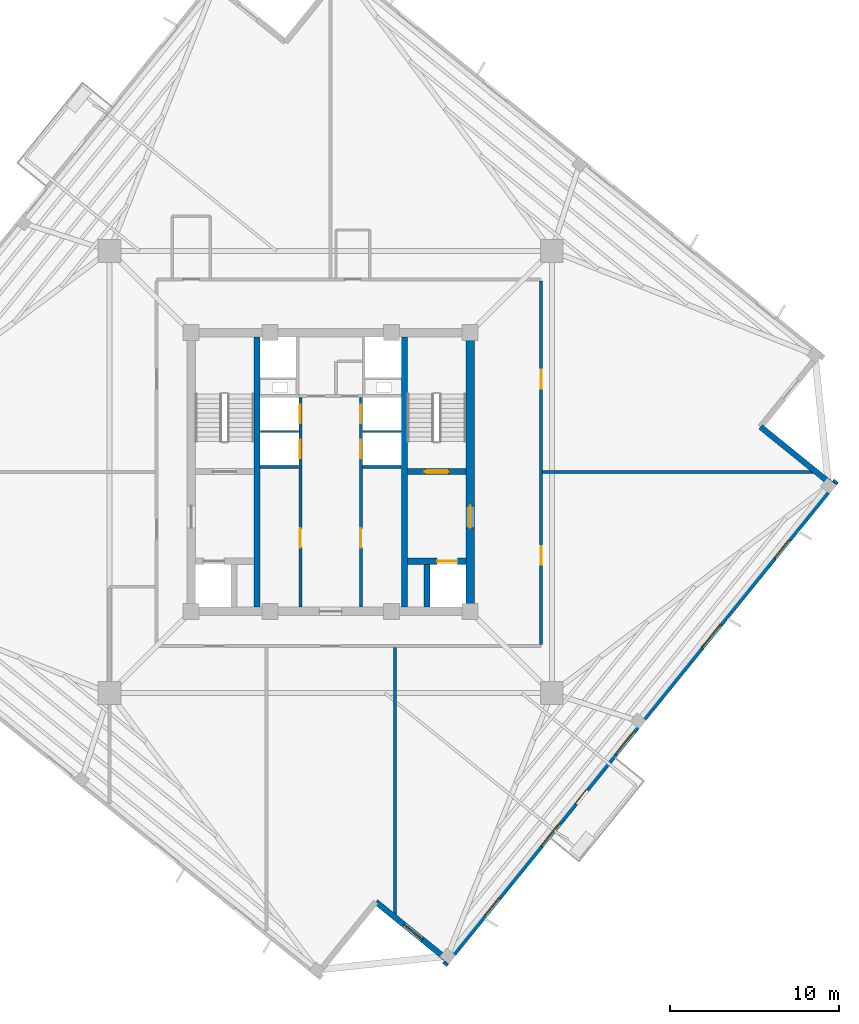
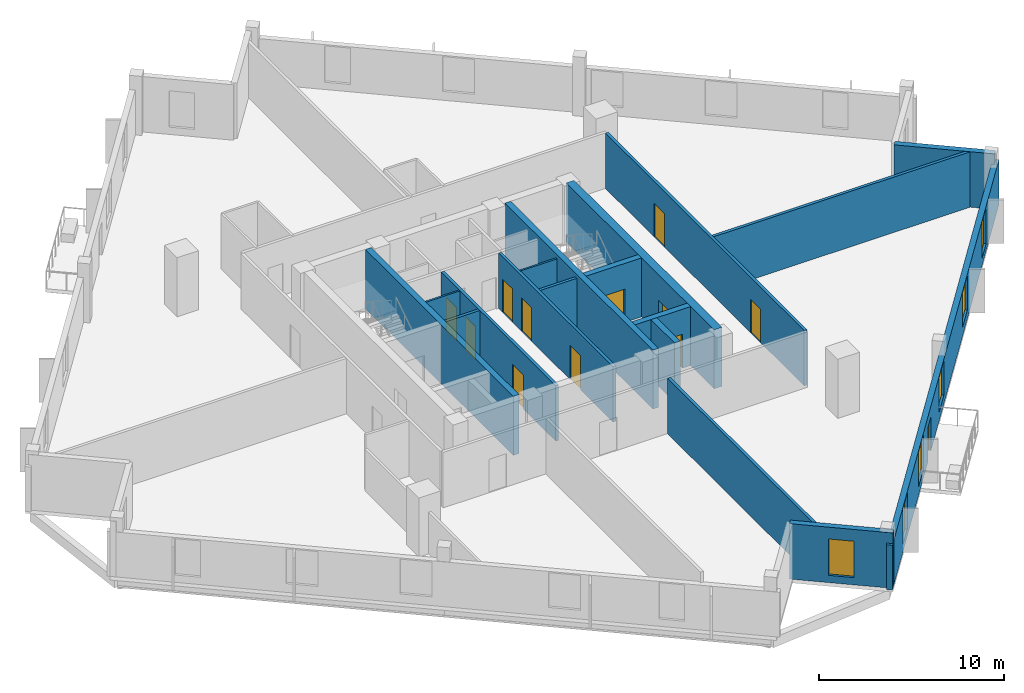
# One storey, part 3 of 9: 18 walls, 12 doors, 6 windows, 18 openings.
"""IFC4 building model written with IfcOpenShell, lengths in metres."""

from ifc_helpers import new_model, si_unit, direction, frame, frame_2d, origin, place, context, subcontext, project, spatial, rectangle, extrude, source, transform, mapped, material, layer, layer_set, type_object, element, fill, save


model = new_model("IFC4")

# Units and contexts
model_context = context("Model", 3, precision=1e-05, world=origin(), true_north=direction((0.0, 1.0)))
body_context = subcontext(model_context, "Body", "Model", "MODEL_VIEW")
ifc_project = project(units=[si_unit("LENGTHUNIT", "METRE"), si_unit("AREAUNIT", "SQUARE_METRE"), si_unit("VOLUMEUNIT", "CUBIC_METRE"), si_unit("PLANEANGLEUNIT", "RADIAN"), si_unit("MASSUNIT", "GRAM", prefix="KILO"), si_unit("THERMODYNAMICTEMPERATUREUNIT", "KELVIN")], contexts=[model_context])

# Site, building, storey
site_placement = place(None, origin())
site = spatial("IfcSite", under=ifc_project, at=site_placement, CompositionType="ELEMENT")
building_placement = place(site_placement, origin())
building = spatial("IfcBuilding", under=site, at=building_placement, Name="Kosmvard Interchange Tower", CompositionType="ELEMENT")
storey_placement = place(building_placement, frame((0.0, 0.0, 248.5)))
storey = spatial("IfcBuildingStorey", under=building, at=storey_placement, Name="L60", CompositionType="ELEMENT", Elevation=248.5)

# Wall, openings, doors
ifc_material_1 = material(Name="Fire-rated gypsum partition system")
ifc_layer_1 = layer(ifc_material_1, 0.179931640625, Name="Fire-rated gypsum partition system")
ifc_layer_set_1 = layer_set([ifc_layer_1], Name="Fire-rated gypsum partition system")
wall_type_1 = type_object("IfcWallType", Name="Corridor & Hotel Compartment Partition 180", PredefinedType="PARTITIONING", material=ifc_layer_set_1)
wall_1_placement = place(storey_placement, frame((-1.7900390625, -7.97998046875, 0.0), z_axis=(0.0, 0.0, 1.0), x_axis=(0.0, 1.0, 0.0)))
wall_1 = element("IfcWall", 1, at=wall_1_placement, inside=storey, type_object=wall_type_1, Name="L60 West Lift Bank Front Wall", PredefinedType="PARTITIONING", context=body_context, shape_type="SweptSolid", body=[
    extrude(rectangle(XDim=12.3798828125, YDim=0.179931640625, at=frame_2d((6.18994140625, 0.0))), origin(), (0.0, 0.0, 1.0), 3.659912109375),
])
opening_1_placement = place(wall_1_placement, frame((8.800048828125, 0.0, 0.0)))
opening_1 = element("IfcOpeningElement", 2, at=opening_1_placement, cuts=wall_1, Name="Opening LD-PL-H1-L60", PredefinedType="OPENING", context=body_context, shape_type="SweptSolid", body=[
    extrude(rectangle(XDim=1.10009765625, YDim=2.199951171875, at=frame_2d((0.550048828125, 1.10009765625))), frame((0.0, 0.10009765625, 0.0), z_axis=(0.0, -1.0, 0.0), x_axis=(1.0, 0.0, 0.0)), (0.0, 0.0, 1.0), 0.199951171875),
])
opening_2_placement = place(wall_1_placement, frame((10.860107421875, 0.0, 0.0)))
opening_2 = element("IfcOpeningElement", 3, at=opening_2_placement, cuts=wall_1, Name="Opening LD-PL-H2-L60", PredefinedType="OPENING", context=body_context, shape_type="SweptSolid", body=[
    extrude(rectangle(XDim=1.10009765625, YDim=2.199951171875, at=frame_2d((0.550048828125, 1.10009765625))), frame((0.0, 0.10009765625, 0.0), z_axis=(0.0, -1.0, 0.0), x_axis=(1.0, 0.0, 0.0)), (0.0, 0.0, 1.0), 0.199951171875),
])
opening_3_placement = place(wall_1_placement, frame((3.5, 0.0, 0.0)))
opening_3 = element("IfcOpeningElement", 4, at=opening_3_placement, cuts=wall_1, Name="Opening L60-CD1", PredefinedType="OPENING", context=body_context, shape_type="SweptSolid", body=[
    extrude(rectangle(XDim=1.14990234375, YDim=2.25, at=frame_2d((0.574951171875, 1.125))), frame((0.0, 0.10009765625, 0.0), z_axis=(0.0, -1.0, 0.0), x_axis=(1.0, 0.0, 0.0)), (0.0, 0.0, 1.0), 0.199951171875),
])
ifc_material_2 = material(Name="Painted fire-rated steel leaf", Category="steel")
door_type_1 = type_object("IfcDoorType", Name="Plant & Riser Fire Door 1150x2250 EI60", OperationType="NOTDEFINED", PredefinedType="DOOR", material=ifc_material_2)
shared_shape_1 = source(origin(), body_context, "Body", "SweptSolid", [
    extrude(rectangle(XDim=1.14990234375, YDim=2.25, at=frame_2d((0.574951171875, 1.125))), frame((0.0, 0.02490234375, 0.0), z_axis=(0.0, -1.0, 0.0), x_axis=(1.0, 0.0, 0.0)), (0.0, 0.0, 1.0), 0.050048828125),
])
door_1_placement = place(opening_3_placement, origin())
door_1 = element("IfcDoor", 5, at=door_1_placement, inside=storey, type_object=door_type_1, Name="L60 Core Facility Store Door", OperationType="SINGLE_SWING_LEFT", OverallHeight=2.25, OverallWidth=1.14990234375, PredefinedType="DOOR", context=body_context, shape_type="MappedRepresentation", body=[
    mapped(shared_shape_1, transform((0.0, 0.0, 0.0), scale=1.0)),
])
fill(opening_3, door_1)
ifc_material_3 = material(Name="Brushed stainless steel sliding leaf", Category="steel")
door_type_2 = type_object("IfcDoorType", Name="Passenger Lift Sliding Landing Door 1100x2200 EI60", OperationType="DOUBLE_DOOR_SLIDING", PredefinedType="DOOR", material=ifc_material_3)
shared_shape_2 = source(origin(), body_context, "Body", "SweptSolid", [
    extrude(rectangle(XDim=1.10009765625, YDim=2.199951171875, at=frame_2d((0.550048828125, 1.10009765625))), frame((0.0, 0.02490234375, 0.0), z_axis=(0.0, -1.0, 0.0), x_axis=(1.0, 0.0, 0.0)), (0.0, 0.0, 1.0), 0.050048828125),
])
door_2_placement = place(opening_1_placement, frame((1.10009765625, 0.0, 0.0), z_axis=(0.0, 0.0, 1.0), x_axis=(-1.0, 0.0, 0.0)))
door_2 = element("IfcDoor", 6, at=door_2_placement, inside=storey, type_object=door_type_2, Name="Lift PL-H1 Landing Door L60", OperationType="DOUBLE_DOOR_SLIDING", OverallHeight=2.199951171875, OverallWidth=1.10009765625, PredefinedType="DOOR", context=body_context, shape_type="MappedRepresentation", body=[
    mapped(shared_shape_2, transform((0.0, 0.0, 0.0), scale=1.0)),
])
fill(opening_1, door_2)
door_3_placement = place(opening_2_placement, frame((1.10009765625, 0.0, 0.0), z_axis=(0.0, 0.0, 1.0), x_axis=(-1.0, 0.0, 0.0)))
door_3 = element("IfcDoor", 7, at=door_3_placement, inside=storey, type_object=door_type_2, Name="Lift PL-H2 Landing Door L60", OperationType="DOUBLE_DOOR_SLIDING", OverallHeight=2.199951171875, OverallWidth=1.10009765625, PredefinedType="DOOR", context=body_context, shape_type="MappedRepresentation", body=[
    mapped(shared_shape_2, transform((0.0, 0.0, 0.0), scale=1.0)),
])
fill(opening_2, door_3)

wall_2_placement = place(storey_placement, frame((1.7900390625, -7.97998046875, 0.0), z_axis=(0.0, 0.0, 1.0), x_axis=(0.0, 1.0, 0.0)))
wall_2 = element("IfcWall", 8, at=wall_2_placement, inside=storey, type_object=wall_type_1, Name="L60 East Lift Bank Front Wall", PredefinedType="PARTITIONING", context=body_context, shape_type="SweptSolid", body=[
    extrude(rectangle(XDim=12.3798828125, YDim=0.179931640625, at=frame_2d((6.18994140625, 0.0))), origin(), (0.0, 0.0, 1.0), 3.659912109375),
])
opening_4_placement = place(wall_2_placement, frame((8.800048828125, 0.0, 0.0)))
opening_4 = element("IfcOpeningElement", 9, at=opening_4_placement, cuts=wall_2, Name="Opening LD-PL-H3-L60", PredefinedType="OPENING", context=body_context, shape_type="SweptSolid", body=[
    extrude(rectangle(XDim=1.10009765625, YDim=2.199951171875, at=frame_2d((0.550048828125, 1.10009765625))), frame((0.0, 0.10009765625, 0.0), z_axis=(0.0, -1.0, 0.0), x_axis=(1.0, 0.0, 0.0)), (0.0, 0.0, 1.0), 0.199951171875),
])
opening_5_placement = place(wall_2_placement, frame((10.860107421875, 0.0, 0.0)))
opening_5 = element("IfcOpeningElement", 10, at=opening_5_placement, cuts=wall_2, Name="Opening LD-PL-H4-L60", PredefinedType="OPENING", context=body_context, shape_type="SweptSolid", body=[
    extrude(rectangle(XDim=1.10009765625, YDim=2.199951171875, at=frame_2d((0.550048828125, 1.10009765625))), frame((0.0, 0.10009765625, 0.0), z_axis=(0.0, -1.0, 0.0), x_axis=(1.0, 0.0, 0.0)), (0.0, 0.0, 1.0), 0.199951171875),
])
opening_6_placement = place(wall_2_placement, frame((3.5, 0.0, 0.0)))
opening_6 = element("IfcOpeningElement", 11, at=opening_6_placement, cuts=wall_2, Name="Opening L60-CD2", PredefinedType="OPENING", context=body_context, shape_type="SweptSolid", body=[
    extrude(rectangle(XDim=1.14990234375, YDim=2.25, at=frame_2d((0.574951171875, 1.125))), frame((0.0, 0.10009765625, 0.0), z_axis=(0.0, -1.0, 0.0), x_axis=(1.0, 0.0, 0.0)), (0.0, 0.0, 1.0), 0.199951171875),
])
door_4_placement = place(opening_6_placement, frame((1.14990234375, 0.0, 0.0), z_axis=(0.0, 0.0, 1.0), x_axis=(-1.0, 0.0, 0.0)))
door_4 = element("IfcDoor", 12, at=door_4_placement, inside=storey, type_object=door_type_1, Name="L60 Core BMS UPS Door", OperationType="SINGLE_SWING_RIGHT", OverallHeight=2.25, OverallWidth=1.14990234375, PredefinedType="DOOR", context=body_context, shape_type="MappedRepresentation", body=[
    mapped(shared_shape_1, transform((0.0, 0.0, 0.0), scale=1.0)),
])
fill(opening_6, door_4)
door_5_placement = place(opening_4_placement, origin())
door_5 = element("IfcDoor", 13, at=door_5_placement, inside=storey, type_object=door_type_2, Name="Lift PL-H3 Landing Door L60", OperationType="DOUBLE_DOOR_SLIDING", OverallHeight=2.199951171875, OverallWidth=1.10009765625, PredefinedType="DOOR", context=body_context, shape_type="MappedRepresentation", body=[
    mapped(shared_shape_2, transform((0.0, 0.0, 0.0), scale=1.0)),
])
fill(opening_4, door_5)
door_6_placement = place(opening_5_placement, origin())
door_6 = element("IfcDoor", 14, at=door_6_placement, inside=storey, type_object=door_type_2, Name="Lift PL-H4 Landing Door L60", OperationType="DOUBLE_DOOR_SLIDING", OverallHeight=2.199951171875, OverallWidth=1.10009765625, PredefinedType="DOOR", context=body_context, shape_type="MappedRepresentation", body=[
    mapped(shared_shape_2, transform((0.0, 0.0, 0.0), scale=1.0)),
])
fill(opening_5, door_6)

wall_3_placement = place(storey_placement, frame((12.449951171875, -10.199951171875, 0.0), z_axis=(0.0, 0.0, 1.0), x_axis=(0.0, 1.0, 0.0)))
wall_3 = element("IfcWall", 15, at=wall_3_placement, inside=storey, type_object=wall_type_1, Name="L60 Corridor Wall CE", PredefinedType="PARTITIONING", context=body_context, shape_type="SweptSolid", body=[
    extrude(rectangle(XDim=21.5, YDim=0.179931640625, at=frame_2d((10.75, 0.0))), origin(), (0.0, 0.0, 1.0), 3.659912109375),
])
opening_7_placement = place(wall_3_placement, frame((15.135498046875, 0.0, 0.0)))
opening_7 = element("IfcOpeningElement", 16, at=opening_7_placement, cuts=wall_3, Name="Opening L60-D04", PredefinedType="OPENING", context=body_context, shape_type="SweptSolid", body=[
    extrude(rectangle(XDim=1.10009765625, YDim=2.199951171875, at=frame_2d((0.550048828125, 1.10009765625))), frame((0.0, 0.10009765625, 0.0), z_axis=(0.0, -1.0, 0.0), x_axis=(1.0, 0.0, 0.0)), (0.0, 0.0, 1.0), 0.199951171875),
])
opening_8_placement = place(wall_3_placement, frame((4.71435546875, 0.0, 0.0)))
opening_8 = element("IfcOpeningElement", 17, at=opening_8_placement, cuts=wall_3, Name="Opening L60-D05", PredefinedType="OPENING", context=body_context, shape_type="SweptSolid", body=[
    extrude(rectangle(XDim=1.10009765625, YDim=2.199951171875, at=frame_2d((0.550048828125, 1.10009765625))), frame((0.0, 0.10009765625, 0.0), z_axis=(0.0, -1.0, 0.0), x_axis=(1.0, 0.0, 0.0)), (0.0, 0.0, 1.0), 0.199951171875),
])
ifc_material_4 = material(Name="Engineered oak fire-rated timber", Category="wood")
door_type_3 = type_object("IfcDoorType", Name="Office Suite Entrance Door 1100x2200 FD30S", OperationType="NOTDEFINED", PredefinedType="DOOR", material=ifc_material_4)
door_7_placement = place(opening_7_placement, frame((1.10009765625, 0.0, 0.0), z_axis=(0.0, 0.0, 1.0), x_axis=(-1.0, 0.0, 0.0)))
door_7 = element("IfcDoor", 18, at=door_7_placement, inside=storey, type_object=door_type_3, Name="L60 South-East Open Investment Workplace Door", OperationType="SINGLE_SWING_RIGHT", OverallHeight=2.199951171875, OverallWidth=1.10009765625, PredefinedType="DOOR", context=body_context, shape_type="MappedRepresentation", body=[
    mapped(shared_shape_2, transform((0.0, 0.0, 0.0), scale=1.0)),
])
fill(opening_7, door_7)
door_8_placement = place(opening_8_placement, frame((1.10009765625, 0.0, 0.0), z_axis=(0.0, 0.0, 1.0), x_axis=(-1.0, 0.0, 0.0)))
door_8 = element("IfcDoor", 19, at=door_8_placement, inside=storey, type_object=door_type_3, Name="L60 Sky Economics Library Door", OperationType="SINGLE_SWING_LEFT", OverallHeight=2.199951171875, OverallWidth=1.10009765625, PredefinedType="DOOR", context=body_context, shape_type="MappedRepresentation", body=[
    mapped(shared_shape_2, transform((0.0, 0.0, 0.0), scale=1.0)),
])
fill(opening_8, door_8)

# Walls
wall_4_placement = place(storey_placement, frame((12.544921875, 0.0, 0.0), z_axis=(0.0, 0.0, 1.0), x_axis=(1.0, 0.0, 0.0)))
element("IfcWall", 20, at=wall_4_placement, inside=storey, type_object=wall_type_1, Name="L60 Room Partition 02.1", PredefinedType="PARTITIONING", context=body_context, shape_type="SweptSolid", body=[
    extrude(rectangle(XDim=16.017578125, YDim=0.179931640625, at=frame_2d((8.0087890625, 0.0))), origin(), (0.0, 0.0, 1.0), 3.659912109375),
])
wall_5_placement = place(storey_placement, frame((3.800048828125, -10.39501953125, 0.0), z_axis=(0.0, 0.0, 1.0), x_axis=(0.0, -1.0, 0.0)))
element("IfcWall", 21, at=wall_5_placement, inside=storey, type_object=wall_type_1, Name="L60 Room Partition 03.1", PredefinedType="PARTITIONING", context=body_context, shape_type="SweptSolid", body=[
    extrude(rectangle(XDim=15.811767578125, YDim=0.179931640625, at=frame_2d((7.90576171875, 0.0))), origin(), (0.0, 0.0, 1.0), 3.659912109375),
])

# Wall, openings, door, windows
ifc_material_5 = material(Name="Precast concrete C45/55", Category="concrete")
ifc_layer_2 = layer(ifc_material_5, 0.340087890625, Name="Precast concrete C45/55")
ifc_layer_set_2 = layer_set([ifc_layer_2], Name="Precast concrete C45/55")
wall_type_2 = type_object("IfcWallType", Name="Mid Tower Precast Pier Wall 340 C45/55", PredefinedType="STANDARD", material=ifc_layer_set_2)
wall_6_placement = place(storey_placement, frame((6.73291015625, -29.154296875, 0.0), z_axis=(0.0, 0.0, 1.0), x_axis=(0.629325378072, 0.77714192302, 0.0)))
wall_6 = element("IfcWall", 22, at=wall_6_placement, inside=storey, type_object=wall_type_2, Name="L60 Precast Facade Wall F-S", PredefinedType="STANDARD", context=body_context, shape_type="SweptSolid", body=[
    extrude(rectangle(XDim=36.840087890625, YDim=0.340087890625, at=frame_2d((18.419921875, 0.0))), origin(), (0.0, 0.0, 1.0), 2.9599609375),
])
opening_9_placement = place(wall_6_placement, frame((12.294921875, 0.0, 0.0)))
opening_9 = element("IfcOpeningElement", 23, at=opening_9_placement, cuts=wall_6, Name="Opening L60-BDS", PredefinedType="OPENING", context=body_context, shape_type="SweptSolid", body=[
    extrude(rectangle(XDim=1.050048828125, YDim=2.25, at=frame_2d((0.52490234375, 1.125))), frame((0.0, 0.18017578125, 0.0), z_axis=(0.0, -1.0, 0.0), x_axis=(1.0, 0.0, 0.0)), (0.0, 0.0, 1.0), 0.360107421875),
])
opening_10_placement = place(wall_6_placement, frame((3.720703125, 0.0, 0.47998046875)))
opening_10 = element("IfcOpeningElement", 24, at=opening_10_placement, cuts=wall_6, Name="Opening L60-W01", PredefinedType="OPENING", context=body_context, shape_type="SweptSolid", body=[
    extrude(rectangle(XDim=1.39990234375, YDim=2.39990234375, at=frame_2d((0.699951171875, 1.199951171875))), frame((0.0, 0.18017578125, 0.0), z_axis=(0.0, -1.0, 0.0), x_axis=(1.0, 0.0, 0.0)), (0.0, 0.0, 1.0), 0.360107421875),
])
opening_11_placement = place(wall_6_placement, frame((9.05859375, 0.0, 0.580078125)))
opening_11 = element("IfcOpeningElement", 25, at=opening_11_placement, cuts=wall_6, Name="Opening L60-W02", PredefinedType="OPENING", context=body_context, shape_type="SweptSolid", body=[
    extrude(rectangle(XDim=1.75, YDim=2.300048828125, at=frame_2d((0.875, 1.14990234375))), frame((0.0, 0.18017578125, 0.0), z_axis=(0.0, -1.0, 0.0), x_axis=(1.0, 0.0, 0.0)), (0.0, 0.0, 1.0), 0.360107421875),
])
opening_12_placement = place(wall_6_placement, frame((16.05810546875, 0.0, 0.580078125)))
opening_12 = element("IfcOpeningElement", 26, at=opening_12_placement, cuts=wall_6, Name="Opening L60-W03", PredefinedType="OPENING", context=body_context, shape_type="SweptSolid", body=[
    extrude(rectangle(XDim=1.75, YDim=2.300048828125, at=frame_2d((0.875, 1.14990234375))), frame((0.0, 0.18017578125, 0.0), z_axis=(0.0, -1.0, 0.0), x_axis=(1.0, 0.0, 0.0)), (0.0, 0.0, 1.0), 0.360107421875),
])
opening_13_placement = place(wall_6_placement, frame((24.17626953125, 0.0, 0.580078125)))
opening_13 = element("IfcOpeningElement", 27, at=opening_13_placement, cuts=wall_6, Name="Opening L60-W04", PredefinedType="OPENING", context=body_context, shape_type="SweptSolid", body=[
    extrude(rectangle(XDim=1.75, YDim=2.300048828125, at=frame_2d((0.875, 1.14990234375))), frame((0.0, 0.18017578125, 0.0), z_axis=(0.0, -1.0, 0.0), x_axis=(1.0, 0.0, 0.0)), (0.0, 0.0, 1.0), 0.360107421875),
])
opening_14_placement = place(wall_6_placement, frame((30.982421875, 0.0, 0.47998046875)))
opening_14 = element("IfcOpeningElement", 28, at=opening_14_placement, cuts=wall_6, Name="Opening L60-W05", PredefinedType="OPENING", context=body_context, shape_type="SweptSolid", body=[
    extrude(rectangle(XDim=1.39990234375, YDim=2.39990234375, at=frame_2d((0.699951171875, 1.199951171875))), frame((0.0, 0.18017578125, 0.0), z_axis=(0.0, -1.0, 0.0), x_axis=(1.0, 0.0, 0.0)), (0.0, 0.0, 1.0), 0.360107421875),
])
ifc_material_6 = material(Name="Anodised aluminium and safety glass", Category="aluminium")
door_type_4 = type_object("IfcDoorType", Name="Tree-Balcony Glazed Door 1050x2250", OperationType="NOTDEFINED", PredefinedType="DOOR", material=ifc_material_6)
shared_shape_3 = source(origin(), body_context, "Body", "SweptSolid", [
    extrude(rectangle(XDim=1.050048828125, YDim=2.25, at=frame_2d((0.52490234375, 1.125))), frame((0.0, 0.02490234375, 0.0), z_axis=(0.0, -1.0, 0.0), x_axis=(1.0, 0.0, 0.0)), (0.0, 0.0, 1.0), 0.050048828125),
])
door_9_placement = place(opening_9_placement, origin())
door_9 = element("IfcDoor", 29, at=door_9_placement, inside=storey, type_object=door_type_4, Name="L60 Tree-Balcony Door BAL-L60-S", OperationType="SINGLE_SWING_LEFT", OverallHeight=2.25, OverallWidth=1.050048828125, PredefinedType="DOOR", context=body_context, shape_type="MappedRepresentation", body=[
    mapped(shared_shape_3, transform((0.0, 0.0, 0.0), scale=1.0)),
])
fill(opening_9, door_9)
ifc_material_7 = material(Name="Low-E solar-control double glazing", Category="glass")
window_type_1 = type_object("IfcWindowType", Name="Notched Corner Feature Window 1400x2400", PartitioningType="SINGLE_PANEL", PredefinedType="WINDOW", material=ifc_material_7)
shared_shape_4 = source(origin(), body_context, "Body", "SweptSolid", [
    extrude(rectangle(XDim=1.39990234375, YDim=2.39990234375, at=frame_2d((0.699951171875, 1.199951171875))), frame((0.0, 0.030029296875, 0.0), z_axis=(0.0, -1.0, 0.0), x_axis=(1.0, 0.0, 0.0)), (0.0, 0.0, 1.0), 0.06005859375),
])
window_1_placement = place(opening_10_placement, origin())
window_1 = element("IfcWindow", 30, at=window_1_placement, inside=storey, type_object=window_type_1, Name="L60 Facade Punched Window 01", OverallHeight=2.39990234375, OverallWidth=1.39990234375, PartitioningType="SINGLE_PANEL", PredefinedType="WINDOW", context=body_context, shape_type="MappedRepresentation", body=[
    mapped(shared_shape_4, transform((0.0, 0.0, 0.0), scale=1.0)),
])
fill(opening_10, window_1)
window_2_placement = place(opening_14_placement, origin())
window_2 = element("IfcWindow", 31, at=window_2_placement, inside=storey, type_object=window_type_1, Name="L60 Facade Punched Window 05", OverallHeight=2.39990234375, OverallWidth=1.39990234375, PartitioningType="SINGLE_PANEL", PredefinedType="WINDOW", context=body_context, shape_type="MappedRepresentation", body=[
    mapped(shared_shape_4, transform((0.0, 0.0, 0.0), scale=1.0)),
])
fill(opening_14, window_2)
window_type_2 = type_object("IfcWindowType", Name="Zone 4 Suite Punched Window 1750x2300", PartitioningType="SINGLE_PANEL", PredefinedType="WINDOW", material=ifc_material_7)
shared_shape_5 = source(origin(), body_context, "Body", "SweptSolid", [
    extrude(rectangle(XDim=1.75, YDim=2.300048828125, at=frame_2d((0.875, 1.14990234375))), frame((0.0, 0.030029296875, 0.0), z_axis=(0.0, -1.0, 0.0), x_axis=(1.0, 0.0, 0.0)), (0.0, 0.0, 1.0), 0.06005859375),
])
window_3_placement = place(opening_11_placement, origin())
window_3 = element("IfcWindow", 32, at=window_3_placement, inside=storey, type_object=window_type_2, Name="L60 Facade Punched Window 02", OverallHeight=2.300048828125, OverallWidth=1.75, PartitioningType="SINGLE_PANEL", PredefinedType="WINDOW", context=body_context, shape_type="MappedRepresentation", body=[
    mapped(shared_shape_5, transform((0.0, 0.0, 0.0), scale=1.0)),
])
fill(opening_11, window_3)
window_4_placement = place(opening_12_placement, origin())
window_4 = element("IfcWindow", 33, at=window_4_placement, inside=storey, type_object=window_type_2, Name="L60 Facade Punched Window 03", OverallHeight=2.300048828125, OverallWidth=1.75, PartitioningType="SINGLE_PANEL", PredefinedType="WINDOW", context=body_context, shape_type="MappedRepresentation", body=[
    mapped(shared_shape_5, transform((0.0, 0.0, 0.0), scale=1.0)),
])
fill(opening_12, window_4)
window_5_placement = place(opening_13_placement, origin())
window_5 = element("IfcWindow", 34, at=window_5_placement, inside=storey, type_object=window_type_2, Name="L60 Facade Punched Window 04", OverallHeight=2.300048828125, OverallWidth=1.75, PartitioningType="SINGLE_PANEL", PredefinedType="WINDOW", context=body_context, shape_type="MappedRepresentation", body=[
    mapped(shared_shape_5, transform((0.0, 0.0, 0.0), scale=1.0)),
])
fill(opening_13, window_5)

# Wall
wall_7_placement = place(storey_placement, frame((29.703125, -0.78857421875, 0.0), z_axis=(0.0, 0.0, 1.0), x_axis=(-0.77714355312, 0.629323365087, 0.0)))
element("IfcWall", 35, at=wall_7_placement, inside=storey, type_object=wall_type_2, Name="L60 Precast Facade Wall N-SE1", PredefinedType="STANDARD", context=body_context, shape_type="SweptSolid", body=[
    extrude(rectangle(XDim=5.499755859375, YDim=0.340087890625, at=frame_2d((2.75, 0.0))), origin(), (0.0, 0.0, 1.0), 3.659912109375),
])

# Wall, opening, window
wall_8_placement = place(storey_placement, frame((2.672607421875, -25.428955078125, 0.0), z_axis=(0.0, 0.0, 1.0), x_axis=(0.777162640055, -0.629299794138, 0.0)))
wall_8 = element("IfcWall", 36, at=wall_8_placement, inside=storey, type_object=wall_type_2, Name="L60 Precast Facade Wall N-SW2", PredefinedType="STANDARD", context=body_context, shape_type="SweptSolid", body=[
    extrude(rectangle(XDim=5.669921875, YDim=0.340087890625, at=frame_2d((2.8349609375, 0.0))), origin(), (0.0, 0.0, 1.0), 3.659912109375),
])
opening_15_placement = place(wall_8_placement, frame((2.135009765625, 0.0, 0.47998046875)))
opening_15 = element("IfcOpeningElement", 37, at=opening_15_placement, cuts=wall_8, Name="Opening L60-W24", PredefinedType="OPENING", context=body_context, shape_type="SweptSolid", body=[
    extrude(rectangle(XDim=1.39990234375, YDim=2.39990234375, at=frame_2d((0.699951171875, 1.199951171875))), frame((0.0, 0.18017578125, 0.0), z_axis=(0.0, -1.0, 0.0), x_axis=(1.0, 0.0, 0.0)), (0.0, 0.0, 1.0), 0.360107421875),
])
window_6_placement = place(opening_15_placement, origin())
window_6 = element("IfcWindow", 38, at=window_6_placement, inside=storey, type_object=window_type_1, Name="L60 Corner Notch Window 24", OverallHeight=2.39990234375, OverallWidth=1.39990234375, PartitioningType="SINGLE_PANEL", PredefinedType="WINDOW", context=body_context, shape_type="MappedRepresentation", body=[
    mapped(shared_shape_4, transform((0.0, 0.0, 0.0), scale=1.0)),
])
fill(opening_15, window_6)

# Walls
ifc_material_8 = material(Name="Concrete blockwork masonry", Category="masonry")
ifc_layer_3 = layer(ifc_material_8, 0.179931640625, Name="Concrete blockwork masonry")
ifc_layer_set_3 = layer_set([ifc_layer_3], Name="Concrete blockwork masonry")
wall_type_3 = type_object("IfcWallType", Name="Riser & Lift Bank Divider Wall 180", PredefinedType="PARTITIONING", material=ifc_layer_set_3)
for number, where, z_axis, x_axis, name in (
    (39, (-4.169921875, 0.300048828125, 0.0), (0.0, 0.0, 1.0), (1.0, 0.0, 0.0), "L60 West Bank Divider BD2"),
    (40, (1.889892578125, 0.300048828125, 0.0), (0.0, 0.0, 1.0), (1.0, 0.0, 0.0), "L60 East Bank Divider BD2"),
):
    element("IfcWall", number, at=place(storey_placement, frame(where, z_axis=z_axis, x_axis=x_axis)), inside=storey, type_object=wall_type_3, Name=name, PredefinedType="PARTITIONING", context=body_context, shape_type="SweptSolid", body=[
        extrude(rectangle(XDim=2.280029296875, YDim=0.179931640625, at=frame_2d((1.14013671875, 0.0))), origin(), (0.0, 0.0, 1.0), 3.659912109375),
    ])
ifc_material_9 = material(Name="Fire-rated gypsum shaftwall system")
ifc_layer_4 = layer(ifc_material_9, 0.1201171875, Name="Fire-rated gypsum shaftwall system")
ifc_layer_set_4 = layer_set([ifc_layer_4], Name="Fire-rated gypsum shaftwall system")
wall_type_4 = type_object("IfcWallType", Name="Shaft & Riser Fire Partition 120 EI60", PredefinedType="PARTITIONING", material=ifc_layer_set_4)
for number, where, z_axis, x_axis, name in (
    (41, (-4.159912109375, 2.39990234375, 0.0), (0.0, 0.0, 1.0), (1.0, 0.0, 0.0), "L60 Shaft Divider PL-H1"),
    (42, (1.89990234375, 2.39990234375, 0.0), (0.0, 0.0, 1.0), (1.0, 0.0, 0.0), "L60 Shaft Divider PL-H3"),
):
    element("IfcWall", number, at=place(storey_placement, frame(where, z_axis=z_axis, x_axis=x_axis)), inside=storey, type_object=wall_type_4, Name=name, PredefinedType="PARTITIONING", context=body_context, shape_type="SweptSolid", body=[
        extrude(rectangle(XDim=2.260009765625, YDim=0.1201171875, at=frame_2d((1.1298828125, 0.0))), origin(), (0.0, 0.0, 1.0), 3.659912109375),
    ])
ifc_material_10 = material(Name="Concrete C60/75", Category="concrete")
ifc_layer_5 = layer(ifc_material_10, 0.360107421875, Name="Concrete C60/75")
ifc_layer_set_5 = layer_set([ifc_layer_5], Name="Concrete C60/75")
wall_type_5 = type_object("IfcWallType", Name="Stair & Lift Shaft Shear Wall 360 C60/75", PredefinedType="SHEAR", material=ifc_layer_set_5)
for number, where, z_axis, x_axis, name in (
    (43, (-4.360107421875, -8.0, 0.0), (0.0, 0.0, 1.0), (0.0, 1.0, 0.0), "L60 Shaft Shear Wall SW-W"),
    (44, (4.360107421875, -8.0, 0.0), (0.0, 0.0, 1.0), (0.0, 1.0, 0.0), "L60 Shaft Shear Wall SW-E"),
):
    element("IfcWall", number, at=place(storey_placement, frame(where, z_axis=z_axis, x_axis=x_axis)), inside=storey, type_object=wall_type_5, Name=name, PredefinedType="SHEAR", context=body_context, shape_type="SweptSolid", body=[
        extrude(rectangle(XDim=16.0, YDim=0.360107421875, at=frame_2d((8.0, 0.0))), origin(), (0.0, 0.0, 1.0), 3.89990234375),
    ])

# Wall, opening, door
wall_9_placement = place(storey_placement, frame((4.5400390625, 0.02001953125, 0.0), z_axis=(0.0, 0.0, 1.0), x_axis=(1.0, 0.0, 0.0)))
wall_9 = element("IfcWall", 45, at=wall_9_placement, inside=storey, type_object=wall_type_5, Name="L60 Shaft Shear Wall SW-ST2", PredefinedType="SHEAR", context=body_context, shape_type="SweptSolid", body=[
    extrude(rectangle(XDim=3.4599609375, YDim=0.360107421875, at=frame_2d((1.72998046875, 0.0))), origin(), (0.0, 0.0, 1.0), 3.89990234375),
])
opening_16_placement = place(wall_9_placement, frame((1.030029296875, 0.0, 0.0)))
opening_16 = element("IfcOpeningElement", 46, at=opening_16_placement, cuts=wall_9, Name="Opening L60-SD2", PredefinedType="OPENING", context=body_context, shape_type="SweptSolid", body=[
    extrude(rectangle(XDim=1.39990234375, YDim=2.199951171875, at=frame_2d((0.699951171875, 1.10009765625))), frame((0.0, 0.18994140625, 0.0), z_axis=(0.0, -1.0, 0.0), x_axis=(1.0, 0.0, 0.0)), (0.0, 0.0, 1.0), 0.380126953125),
])
door_type_5 = type_object("IfcDoorType", Name="Protected Stair Door 1400x2200 FD60S", OperationType="NOTDEFINED", PredefinedType="DOOR", material=ifc_material_2)
shared_shape_6 = source(origin(), body_context, "Body", "SweptSolid", [
    extrude(rectangle(XDim=1.39990234375, YDim=2.199951171875, at=frame_2d((0.699951171875, 1.10009765625))), frame((0.0, 0.02490234375, 0.0), z_axis=(0.0, -1.0, 0.0), x_axis=(1.0, 0.0, 0.0)), (0.0, 0.0, 1.0), 0.050048828125),
])
door_10_placement = place(opening_16_placement, origin())
door_10 = element("IfcDoor", 47, at=door_10_placement, inside=storey, type_object=door_type_5, Name="L60 Stair ST-2 Enclosure Door", OperationType="SINGLE_SWING_RIGHT", OverallHeight=2.199951171875, OverallWidth=1.39990234375, PredefinedType="DOOR", context=body_context, shape_type="MappedRepresentation", body=[
    mapped(shared_shape_6, transform((0.0, 0.0, 0.0), scale=1.0)),
])
fill(opening_16, door_10)

wall_10_placement = place(storey_placement, frame((4.5400390625, -5.280029296875, 0.0), z_axis=(0.0, 0.0, 1.0), x_axis=(1.0, 0.0, 0.0)))
wall_10 = element("IfcWall", 48, at=wall_10_placement, inside=storey, type_object=wall_type_5, Name="L60 Shaft Shear Wall SW-FF2", PredefinedType="SHEAR", context=body_context, shape_type="SweptSolid", body=[
    extrude(rectangle(XDim=3.4599609375, YDim=0.360107421875, at=frame_2d((1.72998046875, 0.0))), origin(), (0.0, 0.0, 1.0), 3.89990234375),
])
opening_17_placement = place(wall_10_placement, frame((1.760009765625, 0.0, 0.0)))
opening_17 = element("IfcOpeningElement", 49, at=opening_17_placement, cuts=wall_10, Name="Opening LD-FF-2-L60", PredefinedType="OPENING", context=body_context, shape_type="SweptSolid", body=[
    extrude(rectangle(XDim=1.199951171875, YDim=2.25, at=frame_2d((0.60009765625, 1.125))), frame((0.0, 0.18994140625, 0.0), z_axis=(0.0, -1.0, 0.0), x_axis=(1.0, 0.0, 0.0)), (0.0, 0.0, 1.0), 0.380126953125),
])
door_type_6 = type_object("IfcDoorType", Name="Firefighting Lift Sliding Landing Door 1200x2250 EI120", OperationType="DOUBLE_DOOR_SLIDING", PredefinedType="DOOR", material=ifc_material_3)
shared_shape_7 = source(origin(), body_context, "Body", "SweptSolid", [
    extrude(rectangle(XDim=1.199951171875, YDim=2.25, at=frame_2d((0.60009765625, 1.125))), frame((0.0, 0.02490234375, 0.0), z_axis=(0.0, -1.0, 0.0), x_axis=(1.0, 0.0, 0.0)), (0.0, 0.0, 1.0), 0.050048828125),
])
door_11_placement = place(opening_17_placement, origin())
door_11 = element("IfcDoor", 50, at=door_11_placement, inside=storey, type_object=door_type_6, Name="Lift FF-2 Landing Door L60", OperationType="DOUBLE_DOOR_SLIDING", OverallHeight=2.25, OverallWidth=1.199951171875, PredefinedType="DOOR", context=body_context, shape_type="MappedRepresentation", body=[
    mapped(shared_shape_7, transform((0.0, 0.0, 0.0), scale=1.0)),
])
fill(opening_17, door_11)

# Wall
wall_11_placement = place(storey_placement, frame((5.7099609375, -8.0, 0.0), z_axis=(0.0, 0.0, 1.0), x_axis=(0.0, 1.0, 0.0)))
element("IfcWall", 51, at=wall_11_placement, inside=storey, type_object=wall_type_5, Name="L60 Shaft Shear Wall SW-SM2", PredefinedType="SHEAR", context=body_context, shape_type="SweptSolid", body=[
    extrude(rectangle(XDim=2.5400390625, YDim=0.360107421875, at=frame_2d((1.27001953125, 0.0))), origin(), (0.0, 0.0, 1.0), 3.89990234375),
])

# Wall, opening, door
ifc_layer_6 = layer(ifc_material_10, 0.5, Name="Concrete C60/75")
ifc_layer_set_6 = layer_set([ifc_layer_6], Name="Concrete C60/75")
wall_type_6 = type_object("IfcWallType", Name="Upper Core Shear Wall 500 C60/75", PredefinedType="SHEAR", material=ifc_layer_set_6)
wall_12_placement = place(storey_placement, frame((8.25, -8.0, 0.0), z_axis=(0.0, 0.0, 1.0), x_axis=(0.0, 1.0, 0.0)))
wall_12 = element("IfcWall", 52, at=wall_12_placement, inside=storey, type_object=wall_type_6, Name="L60 Core Shear Wall CW-E", PredefinedType="SHEAR", context=body_context, shape_type="SweptSolid", body=[
    extrude(rectangle(XDim=16.0, YDim=0.5, at=frame_2d((8.0, 0.0))), origin(), (0.0, 0.0, 1.0), 3.89990234375),
])
opening_18_placement = place(wall_12_placement, frame((4.68994140625, 0.0, 0.0)))
opening_18 = element("IfcOpeningElement", 53, at=opening_18_placement, cuts=wall_12, Name="Opening L60-FD2", PredefinedType="OPENING", context=body_context, shape_type="SweptSolid", body=[
    extrude(rectangle(XDim=1.300048828125, YDim=2.199951171875, at=frame_2d((0.64990234375, 1.10009765625))), frame((0.0, 0.260009765625, 0.0), z_axis=(0.0, -1.0, 0.0), x_axis=(1.0, 0.0, 0.0)), (0.0, 0.0, 1.0), 0.52001953125),
])
door_type_7 = type_object("IfcDoorType", Name="Firefighting Lobby Door 1300x2200 EI60", OperationType="NOTDEFINED", PredefinedType="DOOR", material=ifc_material_2)
shared_shape_8 = source(origin(), body_context, "Body", "SweptSolid", [
    extrude(rectangle(XDim=1.300048828125, YDim=2.199951171875, at=frame_2d((0.64990234375, 1.10009765625))), frame((0.0, 0.02490234375, 0.0), z_axis=(0.0, -1.0, 0.0), x_axis=(1.0, 0.0, 0.0)), (0.0, 0.0, 1.0), 0.050048828125),
])
door_12_placement = place(opening_18_placement, origin())
door_12 = element("IfcDoor", 54, at=door_12_placement, inside=storey, type_object=door_type_7, Name="L60 Firefighting Lobby East Door", OperationType="SINGLE_SWING_RIGHT", OverallHeight=2.199951171875, OverallWidth=1.300048828125, PredefinedType="DOOR", context=body_context, shape_type="MappedRepresentation", body=[
    mapped(shared_shape_8, transform((0.0, 0.0, 0.0), scale=1.0)),
])
fill(opening_18, door_12)

save(model, "model.ifc")
